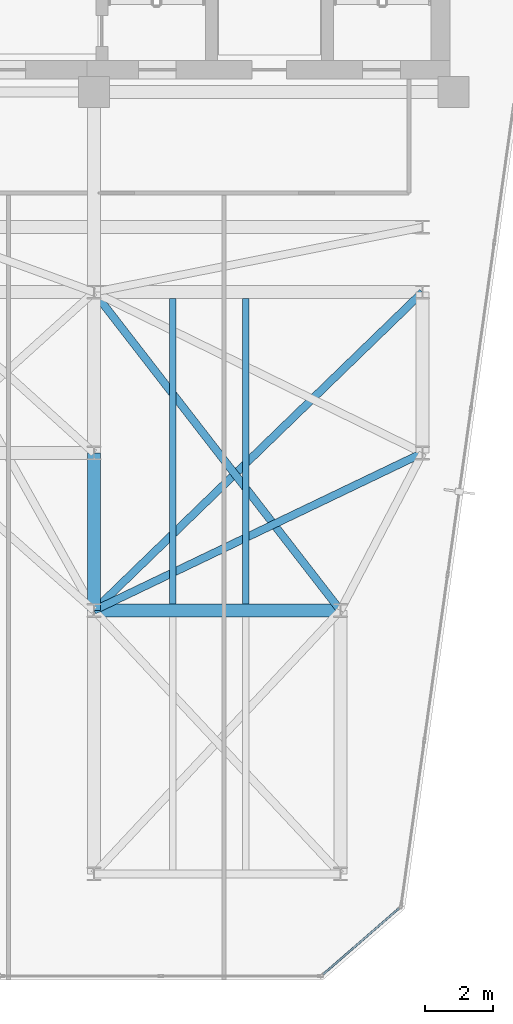
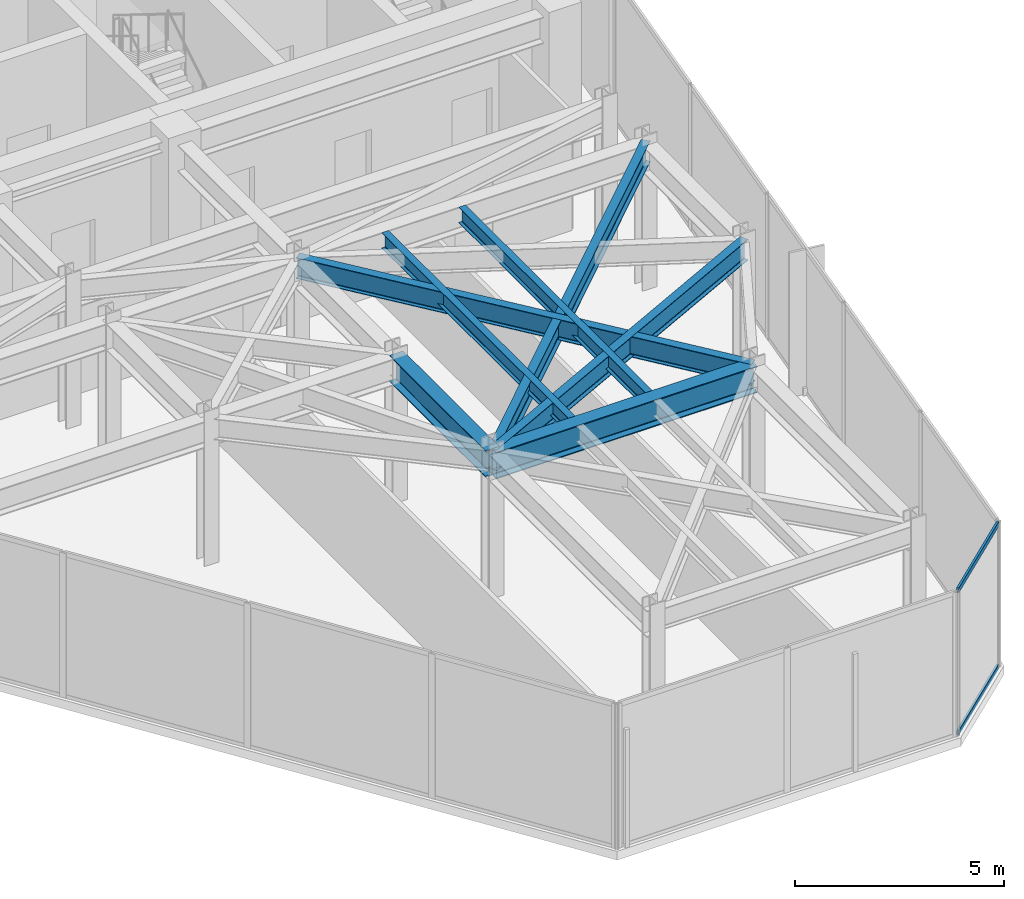
# One storey, part 17 of 25: 7 beams, 2 members, 1 element without a shape of its own.
"""IFC4 building model written with IfcOpenShell, lengths in metres."""

from ifc_helpers import new_model, si_unit, direction, frame, origin, origin_2d, place, context, subcontext, project, spatial, hollow_rectangle, i_section, extrude, material, layer, layer_set, material_profile, profile_set, type_object, element, aggregate, save


model = new_model("IFC4")

# Units and contexts
model_context = context("Model", 3, precision=1e-05, world=origin(), true_north=direction((0.0, 1.0)))
body_context = subcontext(model_context, "Body", "Model", "MODEL_VIEW")
ifc_project = project(units=[si_unit("LENGTHUNIT", "METRE"), si_unit("AREAUNIT", "SQUARE_METRE"), si_unit("VOLUMEUNIT", "CUBIC_METRE"), si_unit("PLANEANGLEUNIT", "RADIAN"), si_unit("MASSUNIT", "GRAM", prefix="KILO")], contexts=[model_context])

# Site, building, storey
site_placement = place(None, origin())
site = spatial("IfcSite", under=ifc_project, at=site_placement, CompositionType="ELEMENT")
building_placement = place(site_placement, origin())
building = spatial("IfcBuilding", under=site, at=building_placement, Name="Kravanh Interchange Tower", CompositionType="ELEMENT")
storey_placement = place(building_placement, frame((0.0, 0.0, 220.5)))
storey = spatial("IfcBuildingStorey", under=building, at=storey_placement, Name="L53", CompositionType="ELEMENT", Elevation=220.5)

# Curtain wall, members
ifc_material_1 = material(Name="Anodised Bronze Aluminium", Category="aluminium")
ifc_layer = layer(ifc_material_1, 0.179931640625)
ifc_layer_set = layer_set([ifc_layer], Name="Unitised Curtain Wall System CW-SKY Sky Observatory")
curtain_wall_type = type_object("IfcCurtainWallType", Name="Unitised Curtain Wall System CW-SKY Sky Observatory", PredefinedType="NOTDEFINED", material=ifc_layer_set)
curtain_wall_placement = place(storey_placement, origin())
curtain_wall = element("IfcCurtainWall", 1, at=curtain_wall_placement, inside=storey, type_object=curtain_wall_type, Name="L53 Unitised Curtain Wall CW-L53-03", PredefinedType="NOTDEFINED")
ifc_material_2 = material(Name="Anodised Bronze Aluminium", Category="aluminium")
ifc_material_profile_1 = material_profile(ifc_material_2, hollow_rectangle(XDim=0.06005859375, YDim=0.139892578125, WallThickness=0.00390625, at=origin_2d()), Name="ALU60X140X4")
ifc_profile_set_1 = profile_set([ifc_material_profile_1], Name="Anodised Bronze Aluminium")
member_type = type_object("IfcMemberType", Name="Curtain Wall Transom ALU60X140X4 Bronze", PredefinedType="USERDEFINED", material=ifc_profile_set_1)
member_1_placement = place(storey_placement, frame((64.912841796875, 13.494873046875, 0.030029296875), z_axis=(-0.754707407778, -0.656061528094, 0.0), x_axis=(0.656061528094, -0.754707407778, 0.0)))
member_1 = element("IfcMember", 2, at=member_1_placement, type_object=member_type, Name="CW-SKY transom 1.1", ObjectType="TRANSOM", PredefinedType="USERDEFINED", context=body_context, shape_type="SweptSolid", body=[
    extrude(hollow_rectangle(XDim=0.06005859375, YDim=0.139892578125, WallThickness=0.00390625, at=origin_2d()), origin(), (0.0, 0.0, 1.0), 2.940185546875),
])
member_2_placement = place(storey_placement, frame((64.912841796875, 13.494873046875, 4.18994140625), z_axis=(-0.754707407778, -0.656061528094, 0.0), x_axis=(0.656061528094, -0.754707407778, 0.0)))
member_2 = element("IfcMember", 3, at=member_2_placement, type_object=member_type, Name="CW-SKY transom 1.2", ObjectType="TRANSOM", PredefinedType="USERDEFINED", context=body_context, shape_type="SweptSolid", body=[
    extrude(hollow_rectangle(XDim=0.06005859375, YDim=0.139892578125, WallThickness=0.00390625, at=origin_2d()), origin(), (0.0, 0.0, 1.0), 2.940185546875),
])
aggregate(curtain_wall, [member_1, member_2])

# Beams
ifc_material_3 = material(Name="Structural Steel S355", Category="steel")
ifc_material_profile_2 = material_profile(ifc_material_3, i_section(OverallWidth=0.381103515625, OverallDepth=0.77294921875, WebThickness=0.0166015625, FlangeThickness=0.027099609375, FilletRadius=0.02490234375, at=origin_2d()), Name="W30X173")
ifc_profile_set_2 = profile_set([ifc_material_profile_2], Name="Structural Steel S355")
beam_type_1 = type_object("IfcBeamType", Name="Floor Beam W30X173 Structural Steel S355", PredefinedType="BEAM", material=ifc_profile_set_2)
beam_1_placement = place(storey_placement, frame((56.0, 26.800048828125, 3.83349609375), z_axis=(0.0, -1.0, 0.0), x_axis=(1.0, 0.0, 0.0)))
element("IfcBeam", 4, at=beam_1_placement, inside=storey, type_object=beam_type_1, Name="L53 Primary Floor Girder 53", PredefinedType="BEAM", context=body_context, shape_type="SweptSolid", body=[
    extrude(i_section(OverallWidth=0.381103515625, OverallDepth=0.77294921875, WebThickness=0.0166015625, FlangeThickness=0.027099609375, FilletRadius=0.02490234375, at=origin_2d()), origin(), (0.0, 0.0, 1.0), 4.60009765625),
])
beam_2_placement = place(storey_placement, frame((56.0, 22.199951171875, 3.83349609375), z_axis=(1.0, 0.0, 0.0), x_axis=(0.0, 1.0, 0.0)))
element("IfcBeam", 5, at=beam_2_placement, inside=storey, type_object=beam_type_1, Name="L53 Primary Floor Girder 92", PredefinedType="BEAM", context=body_context, shape_type="SweptSolid", body=[
    extrude(i_section(OverallWidth=0.381103515625, OverallDepth=0.77294921875, WebThickness=0.0166015625, FlangeThickness=0.027099609375, FilletRadius=0.02490234375, at=origin_2d()), origin(), (0.0, 0.0, 1.0), 7.199951171875),
])
ifc_material_4 = material(Name="Structural Steel S355", Category="steel")
ifc_material_profile_3 = material_profile(ifc_material_4, i_section(OverallWidth=0.18994140625, OverallDepth=0.45703125, WebThickness=0.009033203125, FlangeThickness=0.014404296875, FilletRadius=0.01806640625, at=origin_2d()), Name="W18X50")
ifc_profile_set_3 = profile_set([ifc_material_profile_3], Name="Structural Steel S355")
beam_type_2 = type_object("IfcBeamType", Name="Floor Joist W18X50 Structural Steel S355", PredefinedType="JOIST", material=ifc_profile_set_3)
for number, where, z_axis, x_axis, name in (
    (6, (58.302001953125, 22.385498046875, 3.991455078125), (0.0, 1.0, 0.0), (-1.0, 0.0, 0.0), "L53 Secondary Floor Joist 7"),
    (7, (60.426025390625, 22.385498046875, 3.991455078125), (0.0, 1.0, 0.0), (-1.0, 0.0, 0.0), "L53 Secondary Floor Joist 8"),
):
    element("IfcBeam", number, at=place(storey_placement, frame(where, z_axis=z_axis, x_axis=x_axis)), inside=storey, type_object=beam_type_2, Name=name, PredefinedType="JOIST", context=body_context, shape_type="SweptSolid", body=[
        extrude(i_section(OverallWidth=0.18994140625, OverallDepth=0.45703125, WebThickness=0.009033203125, FlangeThickness=0.014404296875, FilletRadius=0.01806640625, at=origin_2d()), origin(), (0.0, 0.0, 1.0), 8.928955078125),
    ])
ifc_material_5 = material(Name="Structural Steel S355", Category="steel")
ifc_material_profile_4 = material_profile(ifc_material_5, i_section(OverallWidth=0.22802734375, OverallDepth=0.60791015625, WebThickness=0.01123046875, FlangeThickness=0.017333984375, FilletRadius=0.02197265625, at=origin_2d()), Name="W24X76")
ifc_profile_set_4 = profile_set([ifc_material_profile_4], Name="Structural Steel S355")
beam_type_3 = type_object("IfcBeamType", Name="Floor Spandrel W24X76 Structural Steel S355", PredefinedType="SPANDREL", material=ifc_profile_set_4)
beam_3_placement = place(storey_placement, frame((65.60009765625, 26.800048828125, 3.916015625), z_axis=(-0.901814166789, -0.432124066188, 0.0), x_axis=(0.432124066188, -0.901814166789, 0.0)))
element("IfcBeam", 8, at=beam_3_placement, inside=storey, type_object=beam_type_3, Name="L53 Perimeter Spandrel 59", PredefinedType="SPANDREL", context=body_context, shape_type="SweptSolid", body=[
    extrude(i_section(OverallWidth=0.22802734375, OverallDepth=0.60791015625, WebThickness=0.01123046875, FlangeThickness=0.017333984375, FilletRadius=0.02197265625, at=origin_2d()), origin(), (0.0, 0.0, 1.0), 10.645263671875),
])
beam_4_placement = place(storey_placement, frame((56.0, 31.5, 3.916015625), z_axis=(0.612168587637, -0.790727273028, 0.0), x_axis=(0.790727273028, 0.612168587637, 0.0)))
element("IfcBeam", 9, at=beam_4_placement, inside=storey, type_object=beam_type_3, Name="L53 Perimeter Spandrel 83", PredefinedType="SPANDREL", context=body_context, shape_type="SweptSolid", body=[
    extrude(i_section(OverallWidth=0.22802734375, OverallDepth=0.60791015625, WebThickness=0.01123046875, FlangeThickness=0.017333984375, FilletRadius=0.02197265625, at=origin_2d()), origin(), (0.0, 0.0, 1.0), 11.761474609375),
])
beam_5_placement = place(storey_placement, frame((65.60009765625, 31.5, 3.916015625), z_axis=(-0.718241934329, -0.695793449072, 0.0), x_axis=(0.695793449072, -0.718241934329, 0.0)))
element("IfcBeam", 10, at=beam_5_placement, inside=storey, type_object=beam_type_3, Name="L53 Perimeter Spandrel 85", PredefinedType="SPANDREL", context=body_context, shape_type="SweptSolid", body=[
    extrude(i_section(OverallWidth=0.22802734375, OverallDepth=0.60791015625, WebThickness=0.01123046875, FlangeThickness=0.017333984375, FilletRadius=0.02197265625, at=origin_2d()), origin(), (0.0, 0.0, 1.0), 13.3662109375),
])

save(model, "model.ifc")
